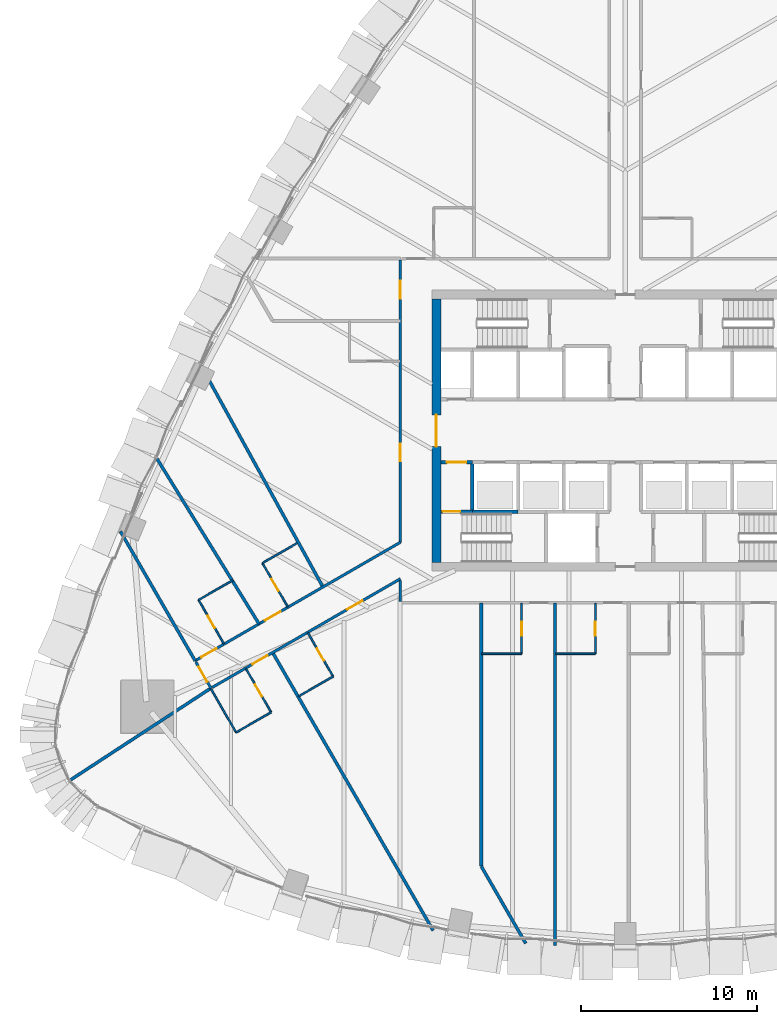
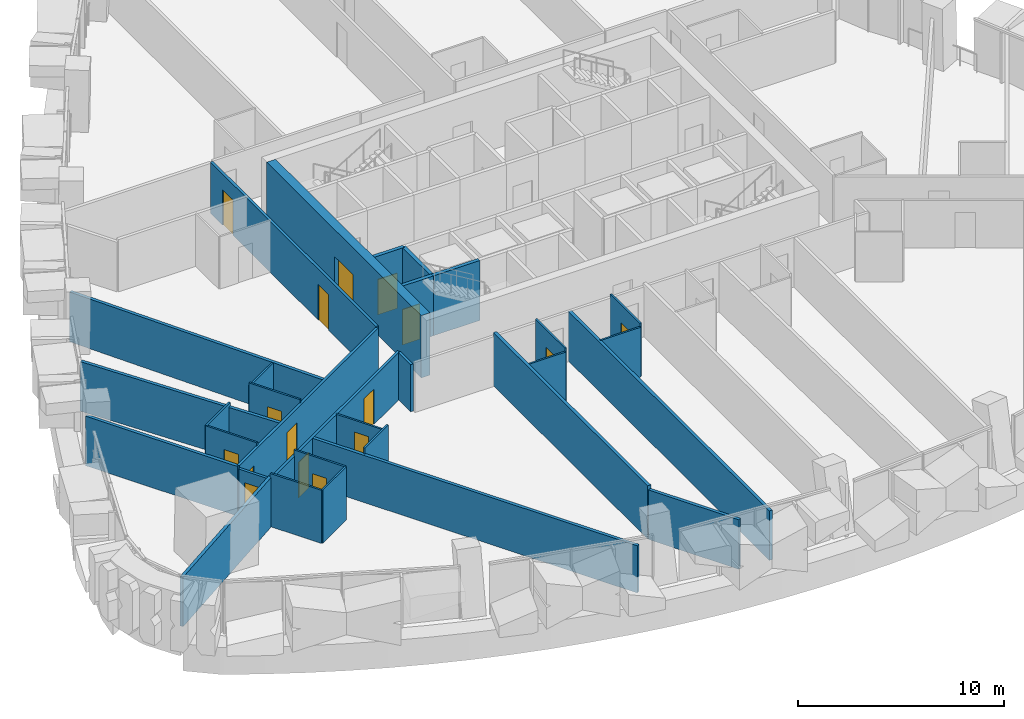
# One storey, part 15 of 27: 31 walls, 16 doors, 16 openings.
"""IFC4 building model written with IfcOpenShell, lengths in metres."""

from ifc_helpers import new_model, si_unit, direction, frame, frame_2d, origin, place, context, subcontext, project, spatial, rectangle, extrude, material, layer, layer_set, type_object, element, fill, save


model = new_model("IFC4")

# Units and contexts
model_context = context("Model", 3, precision=1e-05, world=origin(), true_north=direction((0.0, 1.0)))
body_context = subcontext(model_context, "Body", "Model", "MODEL_VIEW")
ifc_project = project(units=[si_unit("LENGTHUNIT", "METRE"), si_unit("AREAUNIT", "SQUARE_METRE"), si_unit("VOLUMEUNIT", "CUBIC_METRE"), si_unit("PLANEANGLEUNIT", "RADIAN"), si_unit("MASSUNIT", "GRAM", prefix="KILO")], contexts=[model_context])

# Site, building, storey
site_placement = place(None, origin())
site = spatial("IfcSite", under=ifc_project, at=site_placement, CompositionType="ELEMENT")
building_placement = place(site_placement, origin())
building = spatial("IfcBuilding", under=site, at=building_placement, Name="Sierra Prisma Convention Tower", CompositionType="ELEMENT")
storey_placement = place(building_placement, frame((0.0, 0.0, 48.0)))
storey = spatial("IfcBuildingStorey", under=building, at=storey_placement, Name="L07", CompositionType="ELEMENT", Elevation=48.0)

# Wall, opening, door
ifc_material_1 = material(Name="Gypsum board partition", Category="gypsum")
ifc_layer_1 = layer(ifc_material_1, 0.10009765625)
ifc_layer_set_1 = layer_set([ifc_layer_1], Name="Bathroom partition 100")
wall_type_1 = type_object("IfcWallType", Name="Bathroom partition 100", PredefinedType="PARTITIONING", material=ifc_layer_set_1)
wall_1_placement = place(storey_placement, frame((-21.597900390625, -13.54345703125, 0.0), z_axis=(0.0, 0.0, 1.0), x_axis=(0.499936001555, -0.866062350151, 0.0)))
wall_1 = element("IfcWall", 1, at=wall_1_placement, inside=storey, type_object=wall_type_1, Name="Partition L07 bath 1", PredefinedType="PARTITIONING", context=body_context, shape_type="SweptSolid", body=[
    extrude(rectangle(XDim=2.8701171875, YDim=0.10009765625, at=frame_2d((1.43505859375, 0.0))), origin(), (0.0, 0.0, 1.0), 3.14990234375),
])
opening_1_placement = place(wall_1_placement, frame((1.034912109375, 0.0, 0.0)))
opening_1 = element("IfcOpeningElement", 2, at=opening_1_placement, cuts=wall_1, Name="Opening L07-D009", PredefinedType="OPENING", context=body_context, shape_type="SweptSolid", body=[
    extrude(rectangle(XDim=0.800048828125, YDim=2.10009765625, at=frame_2d((0.39990234375, 1.050048828125))), frame((0.0, 0.050048828125, 0.0), z_axis=(0.0, -1.0, 0.0), x_axis=(1.0, 0.0, 0.0)), (0.0, 0.0, 1.0), 0.10009765625),
])
ifc_material_2 = material(Name="Solid core timber door leaf", Category="wood")
door_type_1 = type_object("IfcDoorType", Name="Door 800x2100 plain", OperationType="SINGLE_SWING_LEFT", PredefinedType="DOOR", material=ifc_material_2)
door_1_placement = place(opening_1_placement, origin())
door_1 = element("IfcDoor", 3, at=door_1_placement, inside=storey, type_object=door_type_1, Name="Door L07 21", OperationType="SINGLE_SWING_LEFT", OverallHeight=2.10009765625, OverallWidth=0.800048828125, PredefinedType="DOOR", context=body_context, shape_type="SweptSolid", body=[
    extrude(rectangle(XDim=0.800048828125, YDim=2.10009765625, at=frame_2d((0.39990234375, 1.050048828125))), frame((0.0, 0.02490234375, 0.0), z_axis=(0.0, -1.0, 0.0), x_axis=(1.0, 0.0, 0.0)), (0.0, 0.0, 1.0), 0.050048828125),
])
fill(opening_1, door_1)

# Walls
wall_2_placement = place(storey_placement, frame((-20.1630859375, -16.029052734375, 0.0), z_axis=(0.0, 0.0, 1.0), x_axis=(-0.86602648383, -0.499998129301, 0.0)))
element("IfcWall", 4, at=wall_2_placement, inside=storey, type_object=wall_type_1, Name="Partition L07 bath 2", PredefinedType="PARTITIONING", context=body_context, shape_type="SweptSolid", body=[
    extrude(rectangle(XDim=2.2998046875, YDim=0.10009765625, at=frame_2d((1.14990234375, 0.0))), origin(), (0.0, 0.0, 1.0), 3.14990234375),
])
wall_3_placement = place(storey_placement, frame((-22.15478515625, -17.178955078125, 0.0), z_axis=(0.0, 0.0, 1.0), x_axis=(-0.500036638401, 0.866004249561, 0.0)))
element("IfcWall", 5, at=wall_3_placement, inside=storey, type_object=wall_type_1, Name="Partition L07 bath 3", PredefinedType="PARTITIONING", context=body_context, shape_type="SweptSolid", body=[
    extrude(rectangle(XDim=2.869873046875, YDim=0.10009765625, at=frame_2d((1.43505859375, 0.0))), origin(), (0.0, 0.0, 1.0), 3.14990234375),
])

# Wall, opening, door
wall_4_placement = place(storey_placement, frame((-22.857177734375, -12.122802734375, 0.0), z_axis=(0.0, 0.0, 1.0), x_axis=(-0.499936001555, 0.866062350151, 0.0)))
wall_4 = element("IfcWall", 6, at=wall_4_placement, inside=storey, type_object=wall_type_1, Name="Partition L07 bath 4", PredefinedType="PARTITIONING", context=body_context, shape_type="SweptSolid", body=[
    extrude(rectangle(XDim=2.8701171875, YDim=0.10009765625, at=frame_2d((1.43505859375, 0.0))), origin(), (0.0, 0.0, 1.0), 3.14990234375),
])
opening_2_placement = place(wall_4_placement, frame((1.034912109375, 0.0, 0.0)))
opening_2 = element("IfcOpeningElement", 7, at=opening_2_placement, cuts=wall_4, Name="Opening L07-D008", PredefinedType="OPENING", context=body_context, shape_type="SweptSolid", body=[
    extrude(rectangle(XDim=0.800048828125, YDim=2.10009765625, at=frame_2d((0.39990234375, 1.050048828125))), frame((0.0, 0.050048828125, 0.0), z_axis=(0.0, -1.0, 0.0), x_axis=(1.0, 0.0, 0.0)), (0.0, 0.0, 1.0), 0.10009765625),
])
door_2_placement = place(opening_2_placement, origin())
door_2 = element("IfcDoor", 8, at=door_2_placement, inside=storey, type_object=door_type_1, Name="Door L07 18", OperationType="SINGLE_SWING_LEFT", OverallHeight=2.10009765625, OverallWidth=0.800048828125, PredefinedType="DOOR", context=body_context, shape_type="SweptSolid", body=[
    extrude(rectangle(XDim=0.800048828125, YDim=2.10009765625, at=frame_2d((0.39990234375, 1.050048828125))), frame((0.0, 0.02490234375, 0.0), z_axis=(0.0, -1.0, 0.0), x_axis=(1.0, 0.0, 0.0)), (0.0, 0.0, 1.0), 0.050048828125),
])
fill(opening_2, door_2)

# Wall
wall_5_placement = place(storey_placement, frame((-24.2919921875, -9.63720703125, 0.0), z_axis=(0.0, 0.0, 1.0), x_axis=(0.866017224141, 0.500014167291, 0.0)))
element("IfcWall", 9, at=wall_5_placement, inside=storey, type_object=wall_type_1, Name="Partition L07 bath 5", PredefinedType="PARTITIONING", context=body_context, shape_type="SweptSolid", body=[
    extrude(rectangle(XDim=2.27001953125, YDim=0.10009765625, at=frame_2d((1.135009765625, 0.0))), origin(), (0.0, 0.0, 1.0), 3.14990234375),
])

# Wall, opening, door
wall_6_placement = place(storey_placement, frame((-19.2197265625, -10.022705078125, 0.0), z_axis=(0.0, 0.0, 1.0), x_axis=(-0.499999802827, 0.866025517622, 0.0)))
wall_6 = element("IfcWall", 10, at=wall_6_placement, inside=storey, type_object=wall_type_1, Name="Partition L07 bath 6", PredefinedType="PARTITIONING", context=body_context, shape_type="SweptSolid", body=[
    extrude(rectangle(XDim=2.8701171875, YDim=0.10009765625, at=frame_2d((1.43505859375, 0.0))), origin(), (0.0, 0.0, 1.0), 3.14990234375),
])
opening_3_placement = place(wall_6_placement, frame((1.034912109375, 0.0, 0.0)))
opening_3 = element("IfcOpeningElement", 11, at=opening_3_placement, cuts=wall_6, Name="Opening L07-D007", PredefinedType="OPENING", context=body_context, shape_type="SweptSolid", body=[
    extrude(rectangle(XDim=0.800048828125, YDim=2.10009765625, at=frame_2d((0.39990234375, 1.050048828125))), frame((0.0, 0.050048828125, 0.0), z_axis=(0.0, -1.0, 0.0), x_axis=(1.0, 0.0, 0.0)), (0.0, 0.0, 1.0), 0.10009765625),
])
door_3_placement = place(opening_3_placement, origin())
door_3 = element("IfcDoor", 12, at=door_3_placement, inside=storey, type_object=door_type_1, Name="Door L07 16", OperationType="SINGLE_SWING_LEFT", OverallHeight=2.10009765625, OverallWidth=0.800048828125, PredefinedType="DOOR", context=body_context, shape_type="SweptSolid", body=[
    extrude(rectangle(XDim=0.800048828125, YDim=2.10009765625, at=frame_2d((0.39990234375, 1.050048828125))), frame((0.0, 0.02490234375, 0.0), z_axis=(0.0, -1.0, 0.0), x_axis=(1.0, 0.0, 0.0)), (0.0, 0.0, 1.0), 0.050048828125),
])
fill(opening_3, door_3)

# Wall
wall_7_placement = place(storey_placement, frame((-20.65478515625, -7.537109375, 0.0), z_axis=(0.0, 0.0, 1.0), x_axis=(0.866017224141, 0.500014167291, 0.0)))
element("IfcWall", 13, at=wall_7_placement, inside=storey, type_object=wall_type_1, Name="Partition L07 bath 7", PredefinedType="PARTITIONING", context=body_context, shape_type="SweptSolid", body=[
    extrude(rectangle(XDim=2.27001953125, YDim=0.10009765625, at=frame_2d((1.135009765625, 0.0))), origin(), (0.0, 0.0, 1.0), 2.947021484375),
])

# Wall, opening, door
wall_8_placement = place(storey_placement, frame((-18.06787109375, -11.50537109375, 0.0), z_axis=(0.0, 0.0, 1.0), x_axis=(0.500036638401, -0.866004249561, 0.0)))
wall_8 = element("IfcWall", 14, at=wall_8_placement, inside=storey, type_object=wall_type_1, Name="Partition L07 bath 8", PredefinedType="PARTITIONING", context=body_context, shape_type="SweptSolid", body=[
    extrude(rectangle(XDim=2.869873046875, YDim=0.10009765625, at=frame_2d((1.43505859375, 0.0))), origin(), (0.0, 0.0, 1.0), 2.797119140625),
])
opening_4_placement = place(wall_8_placement, frame((1.034912109375, 0.0, 0.0)))
opening_4 = element("IfcOpeningElement", 15, at=opening_4_placement, cuts=wall_8, Name="Opening L07-D010", PredefinedType="OPENING", context=body_context, shape_type="SweptSolid", body=[
    extrude(rectangle(XDim=0.800048828125, YDim=2.10009765625, at=frame_2d((0.39990234375, 1.050048828125))), frame((0.0, 0.050048828125, 0.0), z_axis=(0.0, -1.0, 0.0), x_axis=(1.0, 0.0, 0.0)), (0.0, 0.0, 1.0), 0.10009765625),
])
door_4_placement = place(opening_4_placement, origin())
door_4 = element("IfcDoor", 16, at=door_4_placement, inside=storey, type_object=door_type_1, Name="Door L07 23", OperationType="SINGLE_SWING_LEFT", OverallHeight=2.10009765625, OverallWidth=0.800048828125, PredefinedType="DOOR", context=body_context, shape_type="SweptSolid", body=[
    extrude(rectangle(XDim=0.800048828125, YDim=2.10009765625, at=frame_2d((0.39990234375, 1.050048828125))), frame((0.0, 0.02490234375, 0.0), z_axis=(0.0, -1.0, 0.0), x_axis=(1.0, 0.0, 0.0)), (0.0, 0.0, 1.0), 0.050048828125),
])
fill(opening_4, door_4)

# Wall
wall_9_placement = place(storey_placement, frame((-16.6328125, -13.99072265625, 0.0), z_axis=(0.0, 0.0, 1.0), x_axis=(-0.866017224141, -0.500014167291, 0.0)))
element("IfcWall", 17, at=wall_9_placement, inside=storey, type_object=wall_type_1, Name="Partition L07 bath 9", PredefinedType="PARTITIONING", context=body_context, shape_type="SweptSolid", body=[
    extrude(rectangle(XDim=2.27001953125, YDim=0.10009765625, at=frame_2d((1.135009765625, 0.0))), origin(), (0.0, 0.0, 1.0), 3.14990234375),
])

# Wall, opening, door
wall_10_placement = place(storey_placement, frame((-5.89990234375, -9.830078125, 0.0), z_axis=(0.0, 0.0, 1.0), x_axis=(0.0, -1.0, 0.0)))
wall_10 = element("IfcWall", 18, at=wall_10_placement, inside=storey, type_object=wall_type_1, Name="Partition L07 bath 14", PredefinedType="PARTITIONING", context=body_context, shape_type="SweptSolid", body=[
    extrude(rectangle(XDim=2.869873046875, YDim=0.10009765625, at=frame_2d((1.43505859375, 0.0))), origin(), (0.0, 0.0, 1.0), 3.14990234375),
])
opening_5_placement = place(wall_10_placement, frame((1.034912109375, 0.0, 0.0)))
opening_5 = element("IfcOpeningElement", 19, at=opening_5_placement, cuts=wall_10, Name="Opening L07-D011", PredefinedType="OPENING", context=body_context, shape_type="SweptSolid", body=[
    extrude(rectangle(XDim=0.800048828125, YDim=2.10009765625, at=frame_2d((0.39990234375, 1.050048828125))), frame((0.0, 0.050048828125, 0.0), z_axis=(0.0, -1.0, 0.0), x_axis=(1.0, 0.0, 0.0)), (0.0, 0.0, 1.0), 0.10009765625),
])
door_5_placement = place(opening_5_placement, origin())
door_5 = element("IfcDoor", 20, at=door_5_placement, inside=storey, type_object=door_type_1, Name="Door L07 25", OperationType="SINGLE_SWING_LEFT", OverallHeight=2.10009765625, OverallWidth=0.800048828125, PredefinedType="DOOR", context=body_context, shape_type="SweptSolid", body=[
    extrude(rectangle(XDim=0.800048828125, YDim=2.10009765625, at=frame_2d((0.39990234375, 1.050048828125))), frame((0.0, 0.02490234375, 0.0), z_axis=(0.0, -1.0, 0.0), x_axis=(1.0, 0.0, 0.0)), (0.0, 0.0, 1.0), 0.050048828125),
])
fill(opening_5, door_5)

# Wall
wall_11_placement = place(storey_placement, frame((-5.89990234375, -12.699951171875, 0.0), z_axis=(0.0, 0.0, 1.0), x_axis=(-1.0, 0.0, 0.0)))
element("IfcWall", 21, at=wall_11_placement, inside=storey, type_object=wall_type_1, Name="Partition L07 bath 15", PredefinedType="PARTITIONING", context=body_context, shape_type="SweptSolid", body=[
    extrude(rectangle(XDim=2.27001953125, YDim=0.10009765625, at=frame_2d((1.135009765625, 0.0))), origin(), (0.0, 0.0, 1.0), 2.947021484375),
])

# Wall, opening, door
wall_12_placement = place(storey_placement, frame((-1.699951171875, -9.830078125, 0.0), z_axis=(0.0, 0.0, 1.0), x_axis=(0.0, -1.0, 0.0)))
wall_12 = element("IfcWall", 22, at=wall_12_placement, inside=storey, type_object=wall_type_1, Name="Partition L07 bath 16", PredefinedType="PARTITIONING", context=body_context, shape_type="SweptSolid", body=[
    extrude(rectangle(XDim=2.869873046875, YDim=0.10009765625, at=frame_2d((1.43505859375, 0.0))), origin(), (0.0, 0.0, 1.0), 3.14990234375),
])
opening_6_placement = place(wall_12_placement, frame((1.034912109375, 0.0, 0.0)))
opening_6 = element("IfcOpeningElement", 23, at=opening_6_placement, cuts=wall_12, Name="Opening L07-D012", PredefinedType="OPENING", context=body_context, shape_type="SweptSolid", body=[
    extrude(rectangle(XDim=0.800048828125, YDim=2.10009765625, at=frame_2d((0.39990234375, 1.050048828125))), frame((0.0, 0.050048828125, 0.0), z_axis=(0.0, -1.0, 0.0), x_axis=(1.0, 0.0, 0.0)), (0.0, 0.0, 1.0), 0.10009765625),
])
door_6_placement = place(opening_6_placement, origin())
door_6 = element("IfcDoor", 24, at=door_6_placement, inside=storey, type_object=door_type_1, Name="Door L07 27", OperationType="SINGLE_SWING_RIGHT", OverallHeight=2.10009765625, OverallWidth=0.800048828125, PredefinedType="DOOR", context=body_context, shape_type="SweptSolid", body=[
    extrude(rectangle(XDim=0.800048828125, YDim=2.10009765625, at=frame_2d((0.39990234375, 1.050048828125))), frame((0.0, 0.02490234375, 0.0), z_axis=(0.0, -1.0, 0.0), x_axis=(1.0, 0.0, 0.0)), (0.0, 0.0, 1.0), 0.050048828125),
])
fill(opening_6, door_6)

# Wall
wall_13_placement = place(storey_placement, frame((-1.699951171875, -12.699951171875, 0.0), z_axis=(0.0, 0.0, 1.0), x_axis=(-1.0, 0.0, 0.0)))
element("IfcWall", 25, at=wall_13_placement, inside=storey, type_object=wall_type_1, Name="Partition L07 bath 17", PredefinedType="PARTITIONING", context=body_context, shape_type="SweptSolid", body=[
    extrude(rectangle(XDim=2.27001953125, YDim=0.10009765625, at=frame_2d((1.135009765625, 0.0))), origin(), (0.0, 0.0, 1.0), 2.947021484375),
])

# Wall, opening, door
ifc_material_3 = material(Name="Concrete C30/37", Category="concrete")
ifc_layer_2 = layer(ifc_material_3, 0.199951171875)
ifc_layer_set_2 = layer_set([ifc_layer_2], Name="Core wall RC 200 C30/37")
wall_type_2 = type_object("IfcWallType", Name="Core wall RC 200 C30/37", PredefinedType="SOLIDWALL", material=ifc_layer_set_2)
wall_14_placement = place(storey_placement, frame((-10.5, -4.60009765625, 0.0), z_axis=(0.0, 0.0, 1.0), x_axis=(1.0, 0.0, 0.0)))
wall_14 = element("IfcWall", 26, at=wall_14_placement, inside=storey, type_object=wall_type_2, Name="Core wall L07 1", PredefinedType="SOLIDWALL", context=body_context, shape_type="SweptSolid", body=[
    extrude(rectangle(XDim=1.800048828125, YDim=0.199951171875, at=frame_2d((0.89990234375, 0.0))), origin(), (0.0, 0.0, 1.0), 3.550048828125),
])
opening_7_placement = place(wall_14_placement, frame((0.10009765625, 0.0, 0.0)))
opening_7 = element("IfcOpeningElement", 27, at=opening_7_placement, cuts=wall_14, Name="Opening L07-D034", PredefinedType="OPENING", context=body_context, shape_type="SweptSolid", body=[
    extrude(rectangle(XDim=1.0, YDim=2.10009765625, at=frame_2d((0.5, 1.050048828125))), frame((0.0, 0.10009765625, 0.0), z_axis=(0.0, -1.0, 0.0), x_axis=(1.0, 0.0, 0.0)), (0.0, 0.0, 1.0), 0.199951171875),
])
ifc_material_4 = material(Name="Steel fire door leaf", Category="steel")
door_type_2 = type_object("IfcDoorType", Name="Door 1000x2100 FD90S", OperationType="SINGLE_SWING_LEFT", PredefinedType="DOOR", material=ifc_material_4)
door_7_placement = place(opening_7_placement, origin())
door_7 = element("IfcDoor", 28, at=door_7_placement, inside=storey, type_object=door_type_2, Name="Door L07 55", OperationType="SINGLE_SWING_LEFT", OverallHeight=2.10009765625, OverallWidth=1.0, PredefinedType="DOOR", context=body_context, shape_type="SweptSolid", body=[
    extrude(rectangle(XDim=1.0, YDim=2.10009765625, at=frame_2d((0.5, 1.050048828125))), frame((0.0, 0.02490234375, 0.0), z_axis=(0.0, -1.0, 0.0), x_axis=(1.0, 0.0, 0.0)), (0.0, 0.0, 1.0), 0.050048828125),
])
fill(opening_7, door_7)

wall_15_placement = place(storey_placement, frame((-10.5, -1.800048828125, 0.0), z_axis=(0.0, 0.0, 1.0), x_axis=(1.0, 0.0, 0.0)))
wall_15 = element("IfcWall", 29, at=wall_15_placement, inside=storey, type_object=wall_type_2, Name="Core wall L07 2", PredefinedType="SOLIDWALL", context=body_context, shape_type="SweptSolid", body=[
    extrude(rectangle(XDim=1.800048828125, YDim=0.199951171875, at=frame_2d((0.89990234375, 0.0))), origin(), (0.0, 0.0, 1.0), 3.550048828125),
])
opening_8_placement = place(wall_15_placement, frame((0.35009765625, 0.0, 0.0)))
opening_8 = element("IfcOpeningElement", 30, at=opening_8_placement, cuts=wall_15, Name="Opening L07-D028", PredefinedType="OPENING", context=body_context, shape_type="SweptSolid", body=[
    extrude(rectangle(XDim=1.10009765625, YDim=2.10009765625, at=frame_2d((0.550048828125, 1.050048828125))), frame((0.0, 0.10009765625, 0.0), z_axis=(0.0, -1.0, 0.0), x_axis=(1.0, 0.0, 0.0)), (0.0, 0.0, 1.0), 0.199951171875),
])
ifc_material_5 = material(Name="Steel fire door leaf", Category="steel")
door_type_3 = type_object("IfcDoorType", Name="Door 1100x2100 FD90S", OperationType="SINGLE_SWING_LEFT", PredefinedType="DOOR", material=ifc_material_5)
door_8_placement = place(opening_8_placement, origin())
door_8 = element("IfcDoor", 31, at=door_8_placement, inside=storey, type_object=door_type_3, Name="Door L07 49", OperationType="SINGLE_SWING_LEFT", OverallHeight=2.10009765625, OverallWidth=1.10009765625, PredefinedType="DOOR", context=body_context, shape_type="SweptSolid", body=[
    extrude(rectangle(XDim=1.10009765625, YDim=2.10009765625, at=frame_2d((0.550048828125, 1.050048828125))), frame((0.0, 0.02490234375, 0.0), z_axis=(0.0, -1.0, 0.0), x_axis=(1.0, 0.0, 0.0)), (0.0, 0.0, 1.0), 0.050048828125),
])
fill(opening_8, door_8)

# Walls
wall_16_placement = place(storey_placement, frame((-8.699951171875, -4.60009765625, 0.0), z_axis=(0.0, 0.0, 1.0), x_axis=(1.0, 0.0, 0.0)))
element("IfcWall", 32, at=wall_16_placement, inside=storey, type_object=wall_type_2, Name="Core wall L07 5", PredefinedType="SOLIDWALL", context=body_context, shape_type="SweptSolid", body=[
    extrude(rectangle(XDim=2.599853515625, YDim=0.199951171875, at=frame_2d((1.2998046875, 0.0))), origin(), (0.0, 0.0, 1.0), 3.550048828125),
])
wall_17_placement = place(storey_placement, frame((-8.699951171875, -4.60009765625, 0.0), z_axis=(0.0, 0.0, 1.0), x_axis=(0.0, 1.0, 0.0)))
element("IfcWall", 33, at=wall_17_placement, inside=storey, type_object=wall_type_2, Name="Core wall L07 6", PredefinedType="SOLIDWALL", context=body_context, shape_type="SweptSolid", body=[
    extrude(rectangle(XDim=2.800048828125, YDim=0.199951171875, at=frame_2d((1.39990234375, 0.0))), origin(), (0.0, 0.0, 1.0), 3.550048828125),
])

# Wall, opening, door
ifc_material_6 = material(Name="Concrete C60/75", Category="concrete")
ifc_layer_3 = layer(ifc_material_6, 0.5)
ifc_layer_set_3 = layer_set([ifc_layer_3], Name="Core wall RC 500 C60/75")
wall_type_3 = type_object("IfcWallType", Name="Core wall RC 500 C60/75", PredefinedType="SHEAR", material=ifc_layer_set_3)
wall_18_placement = place(storey_placement, frame((-10.75, -7.5, 0.0), z_axis=(0.0, 0.0, 1.0), x_axis=(0.0, 1.0, 0.0)))
wall_18 = element("IfcWall", 34, at=wall_18_placement, inside=storey, type_object=wall_type_3, Name="Core wall W L07", PredefinedType="SHEAR", context=body_context, shape_type="SweptSolid", body=[
    extrude(rectangle(XDim=15.0, YDim=0.5, at=frame_2d((7.5, 0.0))), origin(), (0.0, 0.0, 1.0), 3.699951171875),
])
opening_9_placement = place(wall_18_placement, frame((6.60009765625, 0.0, 0.0)))
opening_9 = element("IfcOpeningElement", 35, at=opening_9_placement, cuts=wall_18, Name="Opening L07-D063", PredefinedType="OPENING", context=body_context, shape_type="SweptSolid", body=[
    extrude(rectangle(XDim=1.800048828125, YDim=2.10009765625, at=frame_2d((0.89990234375, 1.050048828125))), frame((0.0, 0.25, 0.0), z_axis=(0.0, -1.0, 0.0), x_axis=(1.0, 0.0, 0.0)), (0.0, 0.0, 1.0), 0.5),
])
ifc_material_7 = material(Name="Steel fire door leaf", Category="steel")
door_type_4 = type_object("IfcDoorType", Name="Door 1800x2100 FD60S", OperationType="DOUBLE_DOOR_SINGLE_SWING", PredefinedType="DOOR", material=ifc_material_7)
door_9_placement = place(opening_9_placement, origin())
door_9 = element("IfcDoor", 36, at=door_9_placement, inside=storey, type_object=door_type_4, Name="Door L07 60", OperationType="DOUBLE_DOOR_SINGLE_SWING", OverallHeight=2.10009765625, OverallWidth=1.800048828125, PredefinedType="DOOR", context=body_context, shape_type="SweptSolid", body=[
    extrude(rectangle(XDim=1.800048828125, YDim=2.10009765625, at=frame_2d((0.89990234375, 1.050048828125))), frame((0.0, 0.02490234375, 0.0), z_axis=(0.0, -1.0, 0.0), x_axis=(1.0, 0.0, 0.0)), (0.0, 0.0, 1.0), 0.050048828125),
])
fill(opening_9, door_9)

# Wall, openings, doors
ifc_material_8 = material(Name="Gypsum board partition", Category="gypsum")
ifc_layer_4 = layer(ifc_material_8, 0.14990234375)
ifc_layer_set_4 = layer_set([ifc_layer_4], Name="Corridor wall 150 gypsum EI 60")
wall_type_4 = type_object("IfcWallType", Name="Corridor wall 150 gypsum EI 60", PredefinedType="PARTITIONING", material=ifc_layer_set_4)
wall_19_placement = place(storey_placement, frame((-12.800048828125, -6.350830078125, 0.0), z_axis=(0.0, 0.0, 1.0), x_axis=(-0.866024715125, -0.500001192792, 0.0)))
wall_19 = element("IfcWall", 37, at=wall_19_placement, inside=storey, type_object=wall_type_4, Name="Partition L07 corr 1", PredefinedType="PARTITIONING", context=body_context, shape_type="SweptSolid", body=[
    extrude(rectangle(XDim=13.49560546875, YDim=0.14990234375, at=frame_2d((6.747802734375, 0.0))), origin(), (0.0, 0.0, 1.0), 2.947021484375),
])
opening_10_placement = place(wall_19_placement, frame((7.8955078125, 0.0, 0.0)))
opening_10 = element("IfcOpeningElement", 38, at=opening_10_placement, cuts=wall_19, Name="Opening L07-D047", PredefinedType="OPENING", context=body_context, shape_type="SweptSolid", body=[
    extrude(rectangle(XDim=1.0, YDim=2.10009765625, at=frame_2d((0.5, 1.050048828125))), frame((0.0, 0.074951171875, 0.0), z_axis=(0.0, -1.0, 0.0), x_axis=(1.0, 0.0, 0.0)), (0.0, 0.0, 1.0), 0.14990234375),
])
opening_11_placement = place(wall_19_placement, frame((12.095458984375, 0.0, 0.0)))
opening_11 = element("IfcOpeningElement", 39, at=opening_11_placement, cuts=wall_19, Name="Opening L07-D048", PredefinedType="OPENING", context=body_context, shape_type="SweptSolid", body=[
    extrude(rectangle(XDim=1.0, YDim=2.10009765625, at=frame_2d((0.5, 1.050048828125))), frame((0.0, 0.074951171875, 0.0), z_axis=(0.0, -1.0, 0.0), x_axis=(1.0, 0.0, 0.0)), (0.0, 0.0, 1.0), 0.14990234375),
])
ifc_material_9 = material(Name="Steel fire door leaf", Category="steel")
door_type_5 = type_object("IfcDoorType", Name="Door 1000x2100 FD30S", OperationType="SINGLE_SWING_LEFT", PredefinedType="DOOR", material=ifc_material_9)
door_10_placement = place(opening_10_placement, origin())
door_10 = element("IfcDoor", 40, at=door_10_placement, inside=storey, type_object=door_type_5, Name="Door L07 15", OperationType="SINGLE_SWING_LEFT", OverallHeight=2.10009765625, OverallWidth=1.0, PredefinedType="DOOR", context=body_context, shape_type="SweptSolid", body=[
    extrude(rectangle(XDim=1.0, YDim=2.10009765625, at=frame_2d((0.5, 1.050048828125))), frame((0.0, 0.02490234375, 0.0), z_axis=(0.0, -1.0, 0.0), x_axis=(1.0, 0.0, 0.0)), (0.0, 0.0, 1.0), 0.050048828125),
])
fill(opening_10, door_10)
door_11_placement = place(opening_11_placement, origin())
door_11 = element("IfcDoor", 41, at=door_11_placement, inside=storey, type_object=door_type_5, Name="Door L07 17", OperationType="SINGLE_SWING_LEFT", OverallHeight=2.10009765625, OverallWidth=1.0, PredefinedType="DOOR", context=body_context, shape_type="SweptSolid", body=[
    extrude(rectangle(XDim=1.0, YDim=2.10009765625, at=frame_2d((0.5, 1.050048828125))), frame((0.0, 0.02490234375, 0.0), z_axis=(0.0, -1.0, 0.0), x_axis=(1.0, 0.0, 0.0)), (0.0, 0.0, 1.0), 0.050048828125),
])
fill(opening_11, door_11)

# Wall, opening, door
wall_20_placement = place(storey_placement, frame((-24.447509765625, -13.16796875, 0.0), z_axis=(0.0, 0.0, 1.0), x_axis=(0.500062383118, -0.865989383878, 0.0)))
wall_20 = element("IfcWall", 42, at=wall_20_placement, inside=storey, type_object=wall_type_4, Name="Partition L07 corr 2", PredefinedType="PARTITIONING", context=body_context, shape_type="SweptSolid", body=[
    extrude(rectangle(XDim=1.719970703125, YDim=0.14990234375, at=frame_2d((0.85986328125, 0.0))), origin(), (0.0, 0.0, 1.0), 2.797119140625),
])
opening_12_placement = place(wall_20_placement, frame((0.31005859375, 0.0, 0.0)))
opening_12 = element("IfcOpeningElement", 43, at=opening_12_placement, cuts=wall_20, Name="Opening L07-D049", PredefinedType="OPENING", context=body_context, shape_type="SweptSolid", body=[
    extrude(rectangle(XDim=1.0, YDim=2.10009765625, at=frame_2d((0.5, 1.050048828125))), frame((0.0, 0.074951171875, 0.0), z_axis=(0.0, -1.0, 0.0), x_axis=(1.0, 0.0, 0.0)), (0.0, 0.0, 1.0), 0.14990234375),
])
door_12_placement = place(opening_12_placement, origin())
door_12 = element("IfcDoor", 44, at=door_12_placement, inside=storey, type_object=door_type_5, Name="Door L07 19", OperationType="SINGLE_SWING_LEFT", OverallHeight=2.10009765625, OverallWidth=1.0, PredefinedType="DOOR", context=body_context, shape_type="SweptSolid", body=[
    extrude(rectangle(XDim=1.0, YDim=2.10009765625, at=frame_2d((0.5, 1.050048828125))), frame((0.0, 0.02490234375, 0.0), z_axis=(0.0, -1.0, 0.0), x_axis=(1.0, 0.0, 0.0)), (0.0, 0.0, 1.0), 0.050048828125),
])
fill(opening_12, door_12)

# Wall, openings, doors
wall_21_placement = place(storey_placement, frame((-23.518310546875, -14.617431640625, 0.0), z_axis=(0.0, 0.0, 1.0), x_axis=(0.866023964651, 0.500002492643, 0.0)))
wall_21 = element("IfcWall", 45, at=wall_21_placement, inside=storey, type_object=wall_type_4, Name="Partition L07 corr 3", PredefinedType="PARTITIONING", context=body_context, shape_type="SweptSolid", body=[
    extrude(rectangle(XDim=12.37646484375, YDim=0.14990234375, at=frame_2d((6.188232421875, 0.0))), origin(), (0.0, 0.0, 1.0), 2.797119140625),
])
opening_13_placement = place(wall_21_placement, frame((2.63818359375, 0.0, 0.0)))
opening_13 = element("IfcOpeningElement", 46, at=opening_13_placement, cuts=wall_21, Name="Opening L07-D050", PredefinedType="OPENING", context=body_context, shape_type="SweptSolid", body=[
    extrude(rectangle(XDim=1.0, YDim=2.10009765625, at=frame_2d((0.5, 1.050048828125))), frame((0.0, 0.074951171875, 0.0), z_axis=(0.0, -1.0, 0.0), x_axis=(1.0, 0.0, 0.0)), (0.0, 0.0, 1.0), 0.14990234375),
])
opening_14_placement = place(wall_21_placement, frame((8.876220703125, 0.0, 0.0)))
opening_14 = element("IfcOpeningElement", 47, at=opening_14_placement, cuts=wall_21, Name="Opening L07-D051", PredefinedType="OPENING", context=body_context, shape_type="SweptSolid", body=[
    extrude(rectangle(XDim=1.0, YDim=2.10009765625, at=frame_2d((0.5, 1.050048828125))), frame((0.0, 0.074951171875, 0.0), z_axis=(0.0, -1.0, 0.0), x_axis=(1.0, 0.0, 0.0)), (0.0, 0.0, 1.0), 0.14990234375),
])
door_13_placement = place(opening_13_placement, origin())
door_13 = element("IfcDoor", 48, at=door_13_placement, inside=storey, type_object=door_type_5, Name="Door L07 20", OperationType="SINGLE_SWING_RIGHT", OverallHeight=2.10009765625, OverallWidth=1.0, PredefinedType="DOOR", context=body_context, shape_type="SweptSolid", body=[
    extrude(rectangle(XDim=1.0, YDim=2.10009765625, at=frame_2d((0.5, 1.050048828125))), frame((0.0, 0.02490234375, 0.0), z_axis=(0.0, -1.0, 0.0), x_axis=(1.0, 0.0, 0.0)), (0.0, 0.0, 1.0), 0.050048828125),
])
fill(opening_13, door_13)
door_14_placement = place(opening_14_placement, origin())
door_14 = element("IfcDoor", 49, at=door_14_placement, inside=storey, type_object=door_type_5, Name="Door L07 22", OperationType="SINGLE_SWING_LEFT", OverallHeight=2.10009765625, OverallWidth=1.0, PredefinedType="DOOR", context=body_context, shape_type="SweptSolid", body=[
    extrude(rectangle(XDim=1.0, YDim=2.10009765625, at=frame_2d((0.5, 1.050048828125))), frame((0.0, 0.02490234375, 0.0), z_axis=(0.0, -1.0, 0.0), x_axis=(1.0, 0.0, 0.0)), (0.0, 0.0, 1.0), 0.050048828125),
])
fill(opening_14, door_14)

# Wall
wall_22_placement = place(storey_placement, frame((-12.800048828125, -8.52099609375, 0.0), z_axis=(0.0, 0.0, 1.0), x_axis=(0.0, -1.0, 0.0)))
element("IfcWall", 50, at=wall_22_placement, inside=storey, type_object=wall_type_4, Name="Partition L07 corr 4", PredefinedType="PARTITIONING", context=body_context, shape_type="SweptSolid", body=[
    extrude(rectangle(XDim=1.198974609375, YDim=0.14990234375, at=frame_2d((0.599609375, 0.0))), origin(), (0.0, 0.0, 1.0), 2.797119140625),
])

# Wall, openings, doors
wall_23_placement = place(storey_placement, frame((-12.800048828125, 9.719970703125, 0.0), z_axis=(0.0, 0.0, 1.0), x_axis=(0.0, -1.0, 0.0)))
wall_23 = element("IfcWall", 51, at=wall_23_placement, inside=storey, type_object=wall_type_4, Name="Partition L07 corr 5", PredefinedType="PARTITIONING", context=body_context, shape_type="SweptSolid", body=[
    extrude(rectangle(XDim=16.07080078125, YDim=0.14990234375, at=frame_2d((8.035400390625, 0.0))), origin(), (0.0, 0.0, 1.0), 3.01708984375),
])
opening_15_placement = place(wall_23_placement, frame((1.1953125, 0.0, 0.0)))
opening_15 = element("IfcOpeningElement", 52, at=opening_15_placement, cuts=wall_23, Name="Opening L07-D045", PredefinedType="OPENING", context=body_context, shape_type="SweptSolid", body=[
    extrude(rectangle(XDim=1.0, YDim=2.10009765625, at=frame_2d((0.5, 1.050048828125))), frame((0.0, 0.074951171875, 0.0), z_axis=(0.0, -1.0, 0.0), x_axis=(1.0, 0.0, 0.0)), (0.0, 0.0, 1.0), 0.14990234375),
])
opening_16_placement = place(wall_23_placement, frame((10.470947265625, 0.0, 0.0)))
opening_16 = element("IfcOpeningElement", 53, at=opening_16_placement, cuts=wall_23, Name="Opening L07-D046", PredefinedType="OPENING", context=body_context, shape_type="SweptSolid", body=[
    extrude(rectangle(XDim=1.0, YDim=2.10009765625, at=frame_2d((0.5, 1.050048828125))), frame((0.0, 0.074951171875, 0.0), z_axis=(0.0, -1.0, 0.0), x_axis=(1.0, 0.0, 0.0)), (0.0, 0.0, 1.0), 0.14990234375),
])
door_15_placement = place(opening_15_placement, origin())
door_15 = element("IfcDoor", 54, at=door_15_placement, inside=storey, type_object=door_type_5, Name="Door L07 12", OperationType="SINGLE_SWING_LEFT", OverallHeight=2.10009765625, OverallWidth=1.0, PredefinedType="DOOR", context=body_context, shape_type="SweptSolid", body=[
    extrude(rectangle(XDim=1.0, YDim=2.10009765625, at=frame_2d((0.5, 1.050048828125))), frame((0.0, 0.02490234375, 0.0), z_axis=(0.0, -1.0, 0.0), x_axis=(1.0, 0.0, 0.0)), (0.0, 0.0, 1.0), 0.050048828125),
])
fill(opening_15, door_15)
door_16_placement = place(opening_16_placement, origin())
door_16 = element("IfcDoor", 55, at=door_16_placement, inside=storey, type_object=door_type_5, Name="Door L07 13", OperationType="SINGLE_SWING_RIGHT", OverallHeight=2.10009765625, OverallWidth=1.0, PredefinedType="DOOR", context=body_context, shape_type="SweptSolid", body=[
    extrude(rectangle(XDim=1.0, YDim=2.10009765625, at=frame_2d((0.5, 1.050048828125))), frame((0.0, 0.02490234375, 0.0), z_axis=(0.0, -1.0, 0.0), x_axis=(1.0, 0.0, 0.0)), (0.0, 0.0, 1.0), 0.050048828125),
])
fill(opening_16, door_16)

# Walls
ifc_material_10 = material(Name="Acoustic gypsum board partition", Category="gypsum")
ifc_layer_5 = layer(ifc_material_10, 0.175048828125)
ifc_layer_set_5 = layer_set([ifc_layer_5], Name="Guest room party wall 175 acoustic EI 60")
wall_type_5 = type_object("IfcWallType", Name="Guest room party wall 175 acoustic EI 60", PredefinedType="PARTITIONING", material=ifc_layer_set_5)
wall_24_placement = place(storey_placement, frame((-31.572998046875, -19.876953125, 0.0), z_axis=(0.0, 0.0, 1.0), x_axis=(0.837059317436, 0.547112144898, 0.0)))
element("IfcWall", 56, at=wall_24_placement, inside=storey, type_object=wall_type_5, Name="Partition L07 hparty 1", PredefinedType="PARTITIONING", context=body_context, shape_type="SweptSolid", body=[
    extrude(rectangle(XDim=9.5400390625, YDim=0.175048828125, at=frame_2d((4.77001953125, 0.0))), origin(), (0.0, 0.0, 1.0), 2.93408203125),
])
wall_25_placement = place(storey_placement, frame((-24.487548828125, -13.0986328125, 0.0), z_axis=(0.0, 0.0, 1.0), x_axis=(-0.500003147101, 0.866023586797, 0.0)))
element("IfcWall", 57, at=wall_25_placement, inside=storey, type_object=wall_type_5, Name="Partition L07 hparty 2", PredefinedType="PARTITIONING", context=body_context, shape_type="SweptSolid", body=[
    extrude(rectangle(XDim=8.5078125, YDim=0.175048828125, at=frame_2d((4.25390625, 0.0))), origin(), (0.0, 0.0, 1.0), 2.93408203125),
])
wall_26_placement = place(storey_placement, frame((-20.85009765625, -10.99853515625, 0.0), z_axis=(0.0, 0.0, 1.0), x_axis=(-0.525650001795, 0.850700931945, 0.0)))
element("IfcWall", 58, at=wall_26_placement, inside=storey, type_object=wall_type_5, Name="Partition L07 hparty 3", PredefinedType="PARTITIONING", context=body_context, shape_type="SweptSolid", body=[
    extrude(rectangle(XDim=11.04833984375, YDim=0.175048828125, at=frame_2d((5.524169921875, 0.0))), origin(), (0.0, 0.0, 1.0), 2.93408203125),
])
wall_27_placement = place(storey_placement, frame((-17.212890625, -8.898681640625, 0.0), z_axis=(0.0, 0.0, 1.0), x_axis=(-0.482265023756, 0.876025368846, 0.0)))
element("IfcWall", 59, at=wall_27_placement, inside=storey, type_object=wall_type_5, Name="Partition L07 hparty 4", PredefinedType="PARTITIONING", context=body_context, shape_type="SweptSolid", body=[
    extrude(rectangle(XDim=14.42431640625, YDim=0.175048828125, at=frame_2d((7.212158203125, 0.0))), origin(), (0.0, 0.0, 1.0), 2.947021484375),
])
wall_28_placement = place(storey_placement, frame((-20.07470703125, -12.62939453125, 0.0), z_axis=(0.0, 0.0, 1.0), x_axis=(0.500000727794, -0.866024983592, 0.0)))
element("IfcWall", 60, at=wall_28_placement, inside=storey, type_object=wall_type_5, Name="Partition L07 hparty 8", PredefinedType="PARTITIONING", context=body_context, shape_type="SweptSolid", body=[
    extrude(rectangle(XDim=18.27734375, YDim=0.175048828125, at=frame_2d((9.138671875, 0.0))), origin(), (0.0, 0.0, 1.0), 2.797119140625),
])
wall_29_placement = place(storey_placement, frame((-8.199951171875, -9.800048828125, 0.0), z_axis=(0.0, 0.0, 1.0), x_axis=(0.0, -1.0, 0.0)))
element("IfcWall", 61, at=wall_29_placement, inside=storey, type_object=wall_type_5, Name="Partition L07 hparty 10", PredefinedType="PARTITIONING", context=body_context, shape_type="SweptSolid", body=[
    extrude(rectangle(XDim=14.99658203125, YDim=0.175048828125, at=frame_2d((7.498291015625, 0.0))), origin(), (0.0, 0.0, 1.0), 3.14990234375),
])
wall_30_placement = place(storey_placement, frame((-8.199951171875, -24.796630859375, 0.0), z_axis=(0.0, 0.0, 1.0), x_axis=(0.499987891935, -0.866032394266, 0.0)))
element("IfcWall", 62, at=wall_30_placement, inside=storey, type_object=wall_type_5, Name="Partition L07 hparty 11", PredefinedType="PARTITIONING", context=body_context, shape_type="SweptSolid", body=[
    extrude(rectangle(XDim=5.069091796875, YDim=0.175048828125, at=frame_2d((2.53466796875, 0.0))), origin(), (0.0, 0.0, 1.0), 2.93408203125),
])
wall_31_placement = place(storey_placement, frame((-4.0, -9.800048828125, 0.0), z_axis=(0.0, 0.0, 1.0), x_axis=(0.0, -1.0, 0.0)))
element("IfcWall", 63, at=wall_31_placement, inside=storey, type_object=wall_type_5, Name="Partition L07 hparty 12", PredefinedType="PARTITIONING", context=body_context, shape_type="SweptSolid", body=[
    extrude(rectangle(XDim=19.521240234375, YDim=0.175048828125, at=frame_2d((9.7607421875, 0.0))), origin(), (0.0, 0.0, 1.0), 2.93408203125),
])

save(model, "model.ifc")
